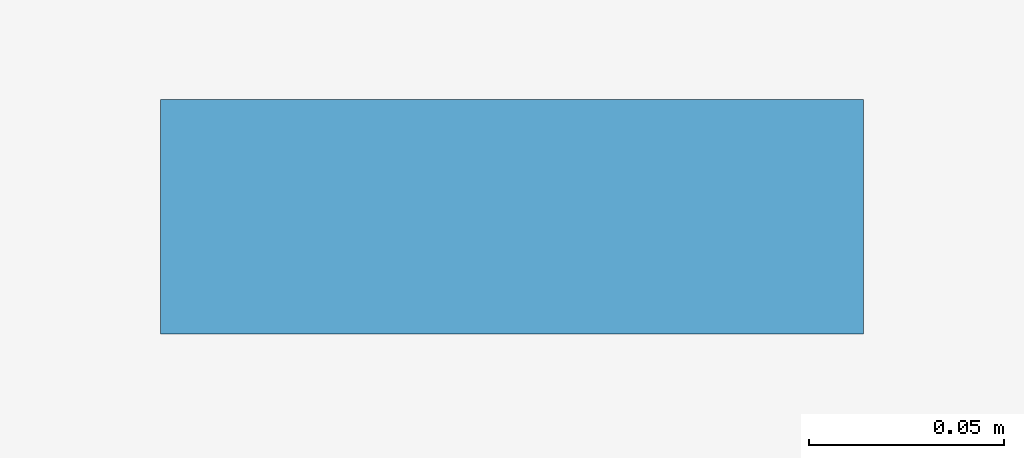
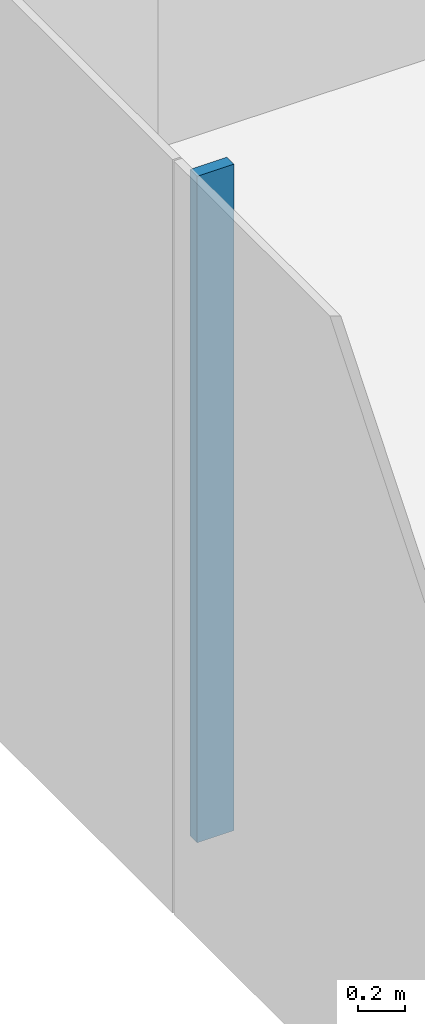
# One storey, part 4 of 21: 1 member, 1 element without a shape of its own.
"""IFC4 building model written with IfcOpenShell, lengths in metres."""

from ifc_helpers import new_model, si_unit, direction, frame, origin, origin_2d, place, context, subcontext, project, spatial, rectangle, extrude, material, layer, layer_set, material_profile, profile_set, type_object, element, aggregate, save


model = new_model("IFC4")

# Units and contexts
model_context = context("Model", 3, precision=1e-05, world=origin(), true_north=direction((0.0, 1.0)))
body_context = subcontext(model_context, "Body", "Model", "MODEL_VIEW")
ifc_project = project(units=[si_unit("LENGTHUNIT", "METRE"), si_unit("AREAUNIT", "SQUARE_METRE"), si_unit("VOLUMEUNIT", "CUBIC_METRE"), si_unit("PLANEANGLEUNIT", "RADIAN"), si_unit("MASSUNIT", "GRAM", prefix="KILO")], contexts=[model_context])

# Site, building, storey
site_placement = place(None, origin())
site = spatial("IfcSite", under=ifc_project, at=site_placement, CompositionType="ELEMENT")
building_placement = place(site_placement, origin())
building = spatial("IfcBuilding", under=site, at=building_placement, Name="Shamsa Quay Exchange Towers", CompositionType="ELEMENT")
storey_placement = place(building_placement, frame((0.0, 0.0, 49.800048828125)))
storey = spatial("IfcBuildingStorey", under=building, at=storey_placement, Name="L10", CompositionType="ELEMENT", Elevation=49.800048828125)

# Curtain wall, member
ifc_material = material(Name="Aluminium EN AW-6063 T6, black anodised", Category="aluminium")
ifc_layer = layer(ifc_material, 0.280029296875)
ifc_layer_set = layer_set([ifc_layer], Name="CW-1 UNITISED VISION GLASS")
curtain_wall_type = type_object("IfcCurtainWallType", Name="CW-1 UNITISED VISION GLASS", PredefinedType="NOTDEFINED", material=ifc_layer_set)
curtain_wall_placement = place(storey_placement, origin())
curtain_wall = element("IfcCurtainWall", 1, at=curtain_wall_placement, inside=storey, type_object=curtain_wall_type, Name="CW1 T1-END-U- L10", PredefinedType="NOTDEFINED")
ifc_material_profile = material_profile(ifc_material, rectangle(XDim=0.179931640625, YDim=0.06005859375, at=origin_2d()), Name="MU60x180")
ifc_profile_set = profile_set([ifc_material_profile], Name="Aluminium EN AW-6063 T6, black anodised")
member_type = type_object("IfcMemberType", Name="CW1 MULLION 60x180", PredefinedType="MULLION", material=ifc_profile_set)
member_placement = place(storey_placement, frame((-62.85009765625, 2.25, 0.0)))
member = element("IfcMember", 2, at=member_placement, type_object=member_type, Name="CW1 mullion", PredefinedType="MULLION", context=body_context, shape_type="SweptSolid", body=[
    extrude(rectangle(XDim=0.179931640625, YDim=0.06005859375, at=origin_2d()), origin(), (0.0, 0.0, 1.0), 3.449951171875),
])
aggregate(curtain_wall, [member])

save(model, "model.ifc")
